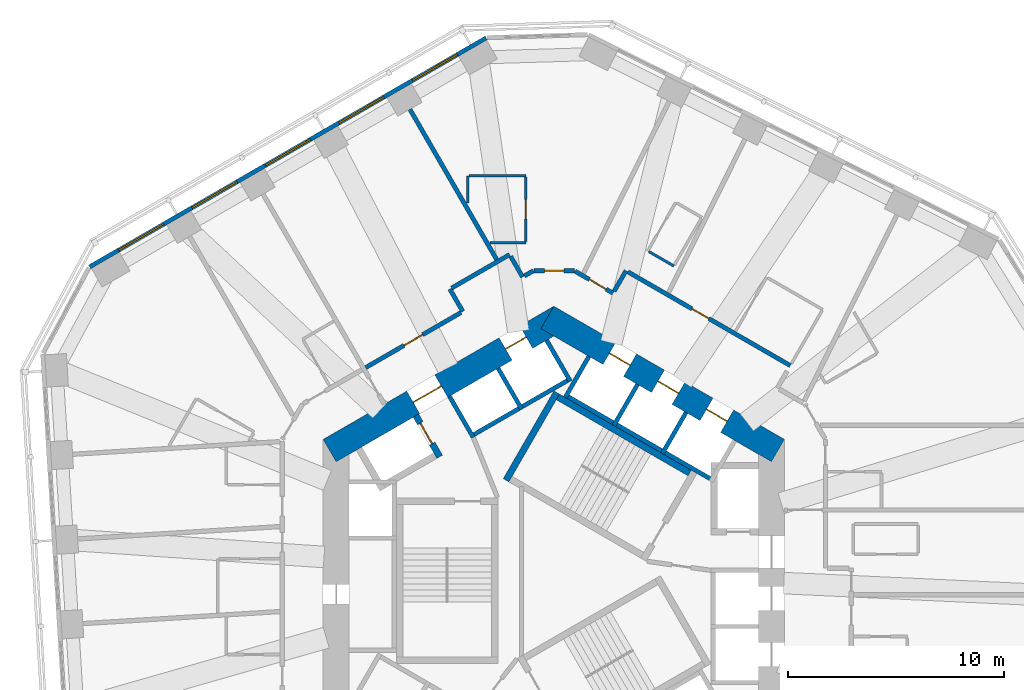
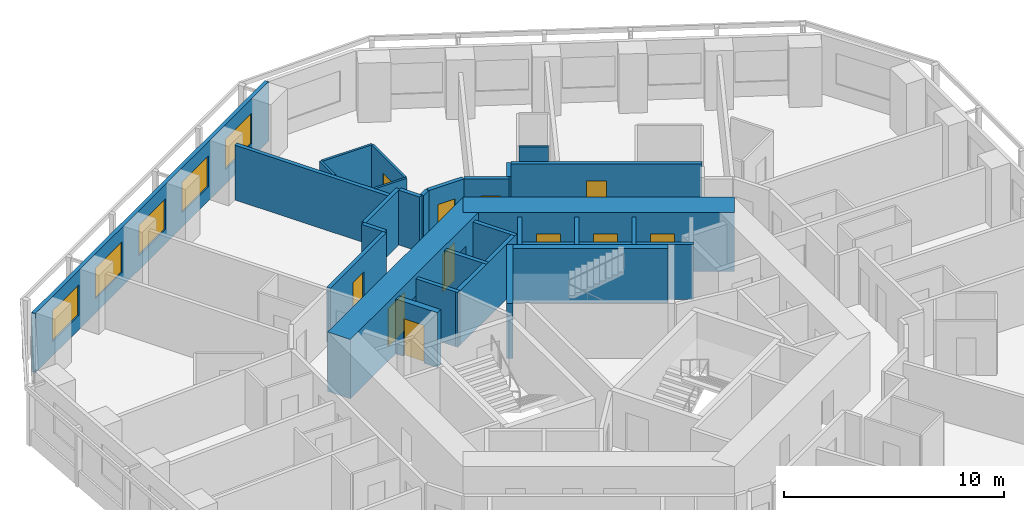
# One storey, part 8 of 12: 29 walls, 11 doors, 5 windows, 16 openings.
"""IFC4 building model written with IfcOpenShell, lengths in metres."""

import ifcopenshell
import ifcopenshell.guid

model = None  # the IFC model being written
_history = None  # IfcOwnerHistory: only IFC2X3 demands one
_inside = {}  # id of a spatial element -> (the spatial element, [elements in it])
_under = {}  # id of a project, library or spatial element -> (it, [spatial elements below it])
_declared = {}  # id of a project -> (the project, [libraries it declares])
_typed = {}  # id of a type object -> (the type object, [elements of that type])
_made_of = {}  # id of a material, layer set ... -> (it, [elements and type objects made of it])


def new_model(schema):
    """Start an empty IFC model of exactly this schema.

    Asked for "IFC4X3", IfcOpenShell would pick the latest addendum, in which some entities
    have other attributes; the version numbers below select the first issue.
    IFC2X3 requires an IfcOwnerHistory on every rooted entity: one is made here for all.
    """
    global model, _history
    if schema == "IFC4X3":
        model = ifcopenshell.file(schema_version=(4, 3, 0, 0))
    else:
        model = ifcopenshell.file(schema=schema)
    _inside.clear()
    _under.clear()
    _declared.clear()
    _typed.clear()
    _made_of.clear()
    _history = None
    if model.schema == "IFC2X3":
        org = make("IfcOrganization", Name="unknown")
        user = make(
            "IfcPersonAndOrganization",
            ThePerson=make("IfcPerson", FamilyName="unknown"),
            TheOrganization=org,
        )
        app = make(
            "IfcApplication",
            ApplicationDeveloper=org,
            Version="unknown",
            ApplicationFullName="unknown",
            ApplicationIdentifier="unknown",
        )
        _history = make(
            "IfcOwnerHistory",
            OwningUser=user,
            OwningApplication=app,
            ChangeAction="ADDED",
            CreationDate=0,
        )
    return model


def make(cls, **values):
    """One entity of the class cls with the attributes given. An attribute that is None is left unset."""
    return model.create_entity(
        cls, **{name: value for name, value in values.items() if value is not None}
    )


def rooted(cls, **values):
    """An entity with a GlobalId (a new one), such as an element, a storey or a relation."""
    return make(cls, GlobalId=ifcopenshell.guid.new(), OwnerHistory=_history, **values)


def si_unit(unit_type, name, prefix=None):
    """IfcSIUnit, for example si_unit("LENGTHUNIT", "METRE", prefix="MILLI")."""
    return make("IfcSIUnit", UnitType=unit_type, Prefix=prefix, Name=name)


def assignment(units):
    """IfcUnitAssignment: the units of a project."""
    return None if units is None else make("IfcUnitAssignment", Units=units)


def point(xyz):
    """IfcCartesianPoint."""
    return None if xyz is None else make("IfcCartesianPoint", Coordinates=xyz)


def direction(xyz):
    """IfcDirection."""
    return None if xyz is None else make("IfcDirection", DirectionRatios=xyz)


def frame(location, z_axis=None, x_axis=None):
    """IfcAxis2Placement3D, a coordinate frame: its origin and axes. An axis left out is left unset."""
    return make(
        "IfcAxis2Placement3D",
        Location=point(location),
        Axis=direction(z_axis),
        RefDirection=direction(x_axis),
    )


def frame_2d(location, x_axis=None):
    """IfcAxis2Placement2D, a coordinate frame in the plane: its origin and x axis."""
    return make(
        "IfcAxis2Placement2D", Location=point(location), RefDirection=direction(x_axis)
    )


def origin():
    """The frame at (0, 0, 0) with its axes left unset."""
    return frame((0.0, 0.0, 0.0))


def place(relative_to, where):
    """IfcLocalPlacement: puts the frame where relative to a parent placement (None: the world)."""
    return make(
        "IfcLocalPlacement", PlacementRelTo=relative_to, RelativePlacement=where
    )


def context(
    kind, dimensions, precision=None, world=None, true_north=None, identifier=None
):
    """IfcGeometricRepresentationContext, for example the 3D "Model" context."""
    return make(
        "IfcGeometricRepresentationContext",
        ContextIdentifier=identifier,
        ContextType=kind,
        CoordinateSpaceDimension=dimensions,
        Precision=precision,
        WorldCoordinateSystem=world,
        TrueNorth=true_north,
    )


def subcontext(parent, identifier, kind, view, scale=None):
    """IfcGeometricRepresentationSubContext, for example "Body" below "Model"."""
    return make(
        "IfcGeometricRepresentationSubContext",
        ContextIdentifier=identifier,
        ContextType=kind,
        ParentContext=parent,
        TargetScale=scale,
        TargetView=view,
    )


def project(units=None, contexts=None):
    """IfcProject with its units and contexts."""
    return rooted(
        "IfcProject",
        Name="project",
        RepresentationContexts=contexts,
        UnitsInContext=assignment(units),
    )


def spatial(cls, under=None, at=None, **own):
    """A site, building, storey or space (cls), placed at a placement, below another one or the project."""
    s = rooted(cls, ObjectPlacement=at, **own)
    if under is not None:
        _under.setdefault(under.id(), (under, []))[1].append(s)
    return s


def profile(cls, at=None, kind="AREA", **sizes):
    """A parametric profile (cls). Its sizes go by their IFC names, for example OverallWidth=200.0."""
    return make(cls, ProfileType=kind, Position=at, **sizes)


def rectangle(**sizes):
    """IfcRectangleProfileDef."""
    return profile("IfcRectangleProfileDef", **sizes)


def extrude(swept, where, along, depth):
    """IfcExtrudedAreaSolid: the profile swept, set in the frame where, extruded along a direction by depth."""
    return make(
        "IfcExtrudedAreaSolid",
        SweptArea=swept,
        Position=where,
        ExtrudedDirection=direction(along),
        Depth=depth,
    )


def shape(context_of_items, identifier, shape_type, items):
    """IfcShapeRepresentation: the items that make up one representation, for example the "Body"."""
    return make(
        "IfcShapeRepresentation",
        ContextOfItems=context_of_items,
        RepresentationIdentifier=identifier,
        RepresentationType=shape_type,
        Items=items,
    )


def material(Name=None, Category=None):
    """IfcMaterial."""
    return make("IfcMaterial", Name=Name, Category=Category)


def layer(
    of_material, thickness, ventilated=None, Name=None, Category=None, Priority=None
):
    """IfcMaterialLayer: one layer of a wall or slab, of a material (None: an air gap)."""
    return make(
        "IfcMaterialLayer",
        Material=of_material,
        LayerThickness=thickness,
        IsVentilated=ventilated,
        Name=Name,
        Category=Category,
        Priority=Priority,
    )


def layer_set(layers, Name=None):
    """IfcMaterialLayerSet."""
    return make("IfcMaterialLayerSet", MaterialLayers=layers, LayerSetName=Name)


def made_of(thing, what):
    """Note that an element or type object is made of a material, layer set ...; save() writes the relation."""
    if what is not None:
        _made_of.setdefault(what.id(), (what, []))[1].append(thing)
    return thing


def type_object(cls, material=None, **own):
    """A type object (cls), such as IfcWallType, which elements share."""
    return made_of(rooted(cls, **own), material)


def element(
    cls,
    number,
    at=None,
    inside=None,
    cuts=None,
    type_object=None,
    material=None,
    context=None,
    identifier="Body",
    shape_type=None,
    held_by="IfcProductDefinitionShape",
    body=None,
    shapes=None,
    **own,
):
    """One element of the class cls, such as IfcWall. Its Tag is "e" and its number.

    at: its placement. inside: the storey or other place that contains it. cuts: it is an
    opening in that element (IfcRelVoidsElement). A single representation is given by context,
    identifier, shape_type and body (its items); several are given by shapes. held_by: the class
    of the entity that holds the representations. save() writes the other relations.
    """
    e = rooted(cls, Tag="e%d" % number, ObjectPlacement=at, **own)
    if body is not None:
        shapes = [shape(context, identifier, shape_type, body)]
    if shapes is not None:
        e.Representation = make(held_by, Representations=shapes)
    if inside is not None:
        _inside.setdefault(inside.id(), (inside, []))[1].append(e)
    if cuts is not None:
        rooted(
            "IfcRelVoidsElement", RelatingBuildingElement=cuts, RelatedOpeningElement=e
        )
    if type_object is not None:
        _typed.setdefault(type_object.id(), (type_object, []))[1].append(e)
    return made_of(e, material)


def fill(opening, filler):
    """IfcRelFillsElement: the door or window that sits in an opening."""
    return rooted(
        "IfcRelFillsElement",
        RelatingOpeningElement=opening,
        RelatedBuildingElement=filler,
    )


def aggregate(whole, parts):
    """IfcRelAggregates: a whole, such as a stair, and the parts it consists of."""
    return rooted("IfcRelAggregates", RelatingObject=whole, RelatedObjects=parts)


def save(model, path):
    """Write the relations noted so far, then the file.

    IfcRelAggregates (storeys below a building ...), IfcRelContainedInSpatialStructure (elements
    in a storey), IfcRelDefinesByType, IfcRelAssociatesMaterial and IfcRelDeclares: one each for
    every whole, place, type object, material and project.
    """
    for whole, parts in _under.values():
        aggregate(whole, parts)
    for where, things in _inside.values():
        rooted(
            "IfcRelContainedInSpatialStructure",
            RelatedElements=things,
            RelatingStructure=where,
        )
    for kind, things in _typed.values():
        rooted("IfcRelDefinesByType", RelatedObjects=things, RelatingType=kind)
    for what, things in _made_of.values():
        rooted("IfcRelAssociatesMaterial", RelatedObjects=things, RelatingMaterial=what)
    for by, libraries in _declared.values():
        rooted("IfcRelDeclares", RelatingContext=by, RelatedDefinitions=libraries)
    model.write(path)


model = new_model("IFC4")

# Units and contexts
model_context = context("Model", 3, precision=1e-05, world=origin(), true_north=direction((0.0, 1.0)))
body_context = subcontext(model_context, "Body", "Model", "MODEL_VIEW")
ifc_project = project(units=[si_unit("LENGTHUNIT", "METRE"), si_unit("AREAUNIT", "SQUARE_METRE"), si_unit("VOLUMEUNIT", "CUBIC_METRE"), si_unit("PLANEANGLEUNIT", "RADIAN"), si_unit("MASSUNIT", "GRAM", prefix="KILO")], contexts=[model_context])

# Site, building, storey
site_placement = place(None, origin())
site = spatial("IfcSite", under=ifc_project, at=site_placement, CompositionType="ELEMENT")
building_placement = place(site_placement, origin())
building = spatial("IfcBuilding", under=site, at=building_placement, Name="Vanh Sen Convention Tower", CompositionType="ELEMENT")
storey_placement = place(building_placement, frame((0.0, 0.0, 53.89990234375)))
storey = spatial("IfcBuildingStorey", under=building, at=storey_placement, Name="L10", CompositionType="ELEMENT", Elevation=53.89990234375)

# Walls
ifc_material_1 = material(Name="Moisture-resistant gypsum board on steel studs", Category="steel")
ifc_layer_1 = layer(ifc_material_1, 0.1201171875)
ifc_layer_set_1 = layer_set([ifc_layer_1], Name="Moisture-resistant gypsum board on steel studs")
wall_type_1 = type_object("IfcWallType", Name="Bathroom partition 120", PredefinedType="PARTITIONING", material=ifc_layer_set_1)
wall_1_placement = place(storey_placement, frame((-4.0, 17.137451171875, 0.0), z_axis=(0.0, 0.0, 1.0), x_axis=(0.0, 1.0, 0.0)))
element("IfcWall", 1, at=wall_1_placement, inside=storey, type_object=wall_type_1, Name="Bathroom partition 120", PredefinedType="PARTITIONING", context=body_context, shape_type="SweptSolid", body=[
    extrude(rectangle(XDim=1.26318359375, YDim=0.1201171875, at=frame_2d((0.631591796875, 0.0))), origin(), (0.0, 0.0, 1.0), 3.050048828125),
])
wall_2_placement = place(storey_placement, frame((-3.93994140625, 18.400634765625, 0.0), z_axis=(0.0, 0.0, 1.0), x_axis=(1.0, 0.0, 0.0)))
element("IfcWall", 2, at=wall_2_placement, inside=storey, type_object=wall_type_1, Name="Bathroom partition 120", PredefinedType="PARTITIONING", context=body_context, shape_type="SweptSolid", body=[
    extrude(rectangle(XDim=2.639892578125, YDim=0.1201171875, at=frame_2d((1.31982421875, 0.0))), origin(), (0.0, 0.0, 1.0), 3.050048828125),
])
wall_3_placement = place(storey_placement, frame((-1.300048828125, 15.30078125, 0.0), z_axis=(0.0, 0.0, 1.0), x_axis=(-1.0, 0.0, 0.0)))
element("IfcWall", 3, at=wall_3_placement, inside=storey, type_object=wall_type_1, Name="Bathroom partition 120", PredefinedType="PARTITIONING", context=body_context, shape_type="SweptSolid", body=[
    extrude(rectangle(XDim=1.6611328125, YDim=0.1201171875, at=frame_2d((0.83056640625, 0.0))), origin(), (0.0, 0.0, 1.0), 3.050048828125),
])

# Wall, opening, door
wall_4_placement = place(storey_placement, frame((-1.300048828125, 18.3408203125, 0.0), z_axis=(0.0, 0.0, 1.0), x_axis=(0.0, -1.0, 0.0)))
wall_4 = element("IfcWall", 4, at=wall_4_placement, inside=storey, type_object=wall_type_1, Name="Bathroom partition 120", PredefinedType="PARTITIONING", context=body_context, shape_type="SweptSolid", body=[
    extrude(rectangle(XDim=2.980224609375, YDim=0.1201171875, at=frame_2d((1.490234375, 0.0))), origin(), (0.0, 0.0, 1.0), 3.050048828125),
])
opening_1_placement = place(wall_4_placement, frame((1.0400390625, 0.0, 0.0)))
opening_1 = element("IfcOpeningElement", 5, at=opening_1_placement, cuts=wall_4, Name="Opening D10114", PredefinedType="OPENING", context=body_context, shape_type="SweptSolid", body=[
    extrude(rectangle(XDim=0.89990234375, YDim=2.10009765625, at=frame_2d((0.449951171875, 1.050048828125))), frame((0.0, 0.070068359375, 0.0), z_axis=(0.0, -1.0, 0.0), x_axis=(1.0, 0.0, 0.0)), (0.0, 0.0, 1.0), 0.14013671875),
])
ifc_material_2 = material(Name="Laminate door in steel frame", Category="steel")
door_type_1 = type_object("IfcDoorType", Name="En-suite door 900", OperationType="SINGLE_SWING_LEFT", PredefinedType="DOOR", material=ifc_material_2)
door_1_placement = place(opening_1_placement, origin())
door_1 = element("IfcDoor", 6, at=door_1_placement, inside=storey, type_object=door_type_1, Name="En-suite door D10114", OperationType="SINGLE_SWING_LEFT", OverallHeight=2.10009765625, OverallWidth=0.89990234375, PredefinedType="DOOR", context=body_context, shape_type="SweptSolid", body=[
    extrude(rectangle(XDim=0.89990234375, YDim=2.10009765625, at=frame_2d((0.449951171875, 1.050048828125))), frame((0.0, 0.02490234375, 0.0), z_axis=(0.0, -1.0, 0.0), x_axis=(1.0, 0.0, 0.0)), (0.0, 0.0, 1.0), 0.050048828125),
])
fill(opening_1, door_1)

# Wall
wall_5_placement = place(storey_placement, frame((5.568603515625, 14.22216796875, 0.0), z_axis=(0.0, 0.0, 1.0), x_axis=(-0.866036909293, 0.499980071345, 0.0)))
element("IfcWall", 7, at=wall_5_placement, inside=storey, type_object=wall_type_1, Name="Bathroom partition 120", PredefinedType="PARTITIONING", context=body_context, shape_type="SweptSolid", body=[
    extrude(rectangle(XDim=1.33984375, YDim=0.1201171875, at=frame_2d((0.669921875, 0.0))), origin(), (0.0, 0.0, 1.0), 3.050048828125),
])

# Wall, openings, doors
ifc_material_3 = material(Name="Concrete C80/95", Category="concrete")
ifc_layer_2 = layer(ifc_material_3, 1.199951171875)
ifc_layer_set_2 = layer_set([ifc_layer_2], Name="Concrete C80/95")
wall_type_2 = type_object("IfcWallType", Name="Core outer wall 1200 C80/95", PredefinedType="SHEAR", material=ifc_layer_set_2)
wall_6_placement = place(storey_placement, frame((10.39990234375, 5.657958984375, 0.0), z_axis=(0.0, 0.0, 1.0), x_axis=(-0.866021384402, 0.500006961711, 0.0)))
wall_6 = element("IfcWall", 8, at=wall_6_placement, inside=storey, type_object=wall_type_2, Name="Core wall face NE L10", PredefinedType="SHEAR", context=body_context, shape_type="SweptSolid", body=[
    extrude(rectangle(XDim=12.355224609375, YDim=1.199951171875, at=frame_2d((6.177734375, 0.0))), origin(), (0.0, 0.0, 1.0), 3.300048828125),
])
opening_2_placement = place(wall_6_placement, frame((2.727783203125, 0.0, 0.0)))
opening_2 = element("IfcOpeningElement", 9, at=opening_2_placement, cuts=wall_6, Name="Opening LD-LR3", PredefinedType="OPENING", context=body_context, shape_type="SweptSolid", body=[
    extrude(rectangle(XDim=1.10009765625, YDim=2.10009765625, at=frame_2d((0.550048828125, 1.050048828125))), frame((0.0, 0.60986328125, 0.0), z_axis=(0.0, -1.0, 0.0), x_axis=(1.0, 0.0, 0.0)), (0.0, 0.0, 1.0), 1.219970703125),
])
opening_3_placement = place(wall_6_placement, frame((5.32763671875, 0.0, 0.0)))
opening_3 = element("IfcOpeningElement", 10, at=opening_3_placement, cuts=wall_6, Name="Opening LD-LR4", PredefinedType="OPENING", context=body_context, shape_type="SweptSolid", body=[
    extrude(rectangle(XDim=1.10009765625, YDim=2.10009765625, at=frame_2d((0.550048828125, 1.050048828125))), frame((0.0, 0.60986328125, 0.0), z_axis=(0.0, -1.0, 0.0), x_axis=(1.0, 0.0, 0.0)), (0.0, 0.0, 1.0), 1.219970703125),
])
opening_4_placement = place(wall_6_placement, frame((7.927734375, 0.0, 0.0)))
opening_4 = element("IfcOpeningElement", 11, at=opening_4_placement, cuts=wall_6, Name="Opening LD-LR5", PredefinedType="OPENING", context=body_context, shape_type="SweptSolid", body=[
    extrude(rectangle(XDim=1.10009765625, YDim=2.10009765625, at=frame_2d((0.550048828125, 1.050048828125))), frame((0.0, 0.60986328125, 0.0), z_axis=(0.0, -1.0, 0.0), x_axis=(1.0, 0.0, 0.0)), (0.0, 0.0, 1.0), 1.219970703125),
])
ifc_material_4 = material(Name="Stainless steel", Category="steel")
door_type_2 = type_object("IfcDoorType", Name="Lift landing door 1100", OperationType="DOUBLE_DOOR_SLIDING", PredefinedType="DOOR", material=ifc_material_4)
door_2_placement = place(opening_2_placement, origin())
door_2 = element("IfcDoor", 12, at=door_2_placement, inside=storey, type_object=door_type_2, Name="Lift LR3 landing door LD-LR3", OperationType="DOUBLE_DOOR_SLIDING", OverallHeight=2.10009765625, OverallWidth=1.10009765625, PredefinedType="DOOR", context=body_context, shape_type="SweptSolid", body=[
    extrude(rectangle(XDim=1.10009765625, YDim=2.10009765625, at=frame_2d((0.550048828125, 1.050048828125))), frame((0.0, 0.02490234375, 0.0), z_axis=(0.0, -1.0, 0.0), x_axis=(1.0, 0.0, 0.0)), (0.0, 0.0, 1.0), 0.050048828125),
])
fill(opening_2, door_2)
door_3_placement = place(opening_3_placement, origin())
door_3 = element("IfcDoor", 13, at=door_3_placement, inside=storey, type_object=door_type_2, Name="Lift LR4 landing door LD-LR4", OperationType="DOUBLE_DOOR_SLIDING", OverallHeight=2.10009765625, OverallWidth=1.10009765625, PredefinedType="DOOR", context=body_context, shape_type="SweptSolid", body=[
    extrude(rectangle(XDim=1.10009765625, YDim=2.10009765625, at=frame_2d((0.550048828125, 1.050048828125))), frame((0.0, 0.02490234375, 0.0), z_axis=(0.0, -1.0, 0.0), x_axis=(1.0, 0.0, 0.0)), (0.0, 0.0, 1.0), 0.050048828125),
])
fill(opening_3, door_3)
door_4_placement = place(opening_4_placement, origin())
door_4 = element("IfcDoor", 14, at=door_4_placement, inside=storey, type_object=door_type_2, Name="Lift LR5 landing door LD-LR5", OperationType="DOUBLE_DOOR_SLIDING", OverallHeight=2.10009765625, OverallWidth=1.10009765625, PredefinedType="DOOR", context=body_context, shape_type="SweptSolid", body=[
    extrude(rectangle(XDim=1.10009765625, YDim=2.10009765625, at=frame_2d((0.550048828125, 1.050048828125))), frame((0.0, 0.02490234375, 0.0), z_axis=(0.0, -1.0, 0.0), x_axis=(1.0, 0.0, 0.0)), (0.0, 0.0, 1.0), 0.050048828125),
])
fill(opening_4, door_4)

wall_7_placement = place(storey_placement, frame((0.300048828125, 11.835693359375, 0.0), z_axis=(0.0, 0.0, 1.0), x_axis=(-0.866021384402, -0.500006961711, 0.0)))
wall_7 = element("IfcWall", 15, at=wall_7_placement, inside=storey, type_object=wall_type_2, Name="Core wall face NW L10", PredefinedType="SHEAR", context=body_context, shape_type="SweptSolid", body=[
    extrude(rectangle(XDim=12.355224609375, YDim=1.199951171875, at=frame_2d((6.177734375, 0.0))), origin(), (0.0, 0.0, 1.0), 3.300048828125),
])
opening_5_placement = place(wall_7_placement, frame((6.377685546875, 0.0, 0.0)))
opening_5 = element("IfcOpeningElement", 16, at=opening_5_placement, cuts=wall_7, Name="Opening D10002", PredefinedType="OPENING", context=body_context, shape_type="SweptSolid", body=[
    extrude(rectangle(XDim=1.5, YDim=2.10009765625, at=frame_2d((0.75, 1.050048828125))), frame((0.0, 0.60986328125, 0.0), z_axis=(0.0, -1.0, 0.0), x_axis=(1.0, 0.0, 0.0)), (0.0, 0.0, 1.0), 1.219970703125),
])
opening_6_placement = place(wall_7_placement, frame((1.82763671875, 0.0, 0.0)))
opening_6 = element("IfcOpeningElement", 17, at=opening_6_placement, cuts=wall_7, Name="Opening LD-LR6", PredefinedType="OPENING", context=body_context, shape_type="SweptSolid", body=[
    extrude(rectangle(XDim=1.10009765625, YDim=2.10009765625, at=frame_2d((0.550048828125, 1.050048828125))), frame((0.0, 0.60986328125, 0.0), z_axis=(0.0, -1.0, 0.0), x_axis=(1.0, 0.0, 0.0)), (0.0, 0.0, 1.0), 1.219970703125),
])
door_5_placement = place(opening_6_placement, origin())
door_5 = element("IfcDoor", 18, at=door_5_placement, inside=storey, type_object=door_type_2, Name="Lift LR6 landing door LD-LR6", OperationType="DOUBLE_DOOR_SLIDING", OverallHeight=2.10009765625, OverallWidth=1.10009765625, PredefinedType="DOOR", context=body_context, shape_type="SweptSolid", body=[
    extrude(rectangle(XDim=1.10009765625, YDim=2.10009765625, at=frame_2d((0.550048828125, 1.050048828125))), frame((0.0, 0.02490234375, 0.0), z_axis=(0.0, -1.0, 0.0), x_axis=(1.0, 0.0, 0.0)), (0.0, 0.0, 1.0), 0.050048828125),
])
fill(opening_6, door_5)
ifc_material_5 = material(Name="Steel S355", Category="steel")
door_type_3 = type_object("IfcDoorType", Name="Stair lobby door 1500", OperationType="DOUBLE_DOOR_SINGLE_SWING", PredefinedType="DOOR", material=ifc_material_5)
door_6_placement = place(opening_5_placement, origin())
door_6 = element("IfcDoor", 19, at=door_6_placement, inside=storey, type_object=door_type_3, Name="Stair lobby door D10002", OperationType="DOUBLE_DOOR_SINGLE_SWING", OverallHeight=2.10009765625, OverallWidth=1.5, PredefinedType="DOOR", context=body_context, shape_type="SweptSolid", body=[
    extrude(rectangle(XDim=1.5, YDim=2.10009765625, at=frame_2d((0.75, 1.050048828125))), frame((0.0, 0.02490234375, 0.0), z_axis=(0.0, -1.0, 0.0), x_axis=(1.0, 0.0, 0.0)), (0.0, 0.0, 1.0), 0.050048828125),
])
fill(opening_5, door_6)

# Wall
ifc_material_6 = material(Name="Gypsum board on steel studs with mineral wool", Category="steel")
ifc_layer_3 = layer(ifc_material_6, 0.199951171875)
ifc_layer_set_3 = layer_set([ifc_layer_3], Name="Gypsum board on steel studs with mineral wool")
wall_type_3 = type_object("IfcWallType", Name="Corridor partition wall 200", PredefinedType="PARTITIONING", material=ifc_layer_set_3)
wall_8_placement = place(storey_placement, frame((-4.822998046875, 13.151611328125, 0.0), z_axis=(0.0, 0.0, 1.0), x_axis=(0.499986357472, -0.866033280158, 0.0)))
element("IfcWall", 20, at=wall_8_placement, inside=storey, type_object=wall_type_3, Name="Corridor partition wall 200", PredefinedType="PARTITIONING", context=body_context, shape_type="SweptSolid", body=[
    extrude(rectangle(XDim=1.201171875, YDim=0.199951171875, at=frame_2d((0.6005859375, 0.0))), origin(), (0.0, 0.0, 1.0), 3.050048828125),
])

# Wall, opening, door
wall_9_placement = place(storey_placement, frame((-4.30908203125, 12.061279296875, 0.0), z_axis=(0.0, 0.0, 1.0), x_axis=(-0.866020679205, -0.500008183122, 0.0)))
wall_9 = element("IfcWall", 21, at=wall_9_placement, inside=storey, type_object=wall_type_3, Name="Corridor partition wall 200", PredefinedType="PARTITIONING", context=body_context, shape_type="SweptSolid", body=[
    extrude(rectangle(XDim=5.103515625, YDim=0.199951171875, at=frame_2d((2.5517578125, 0.0))), origin(), (0.0, 0.0, 1.0), 3.050048828125),
])
opening_7_placement = place(wall_9_placement, frame((2.0517578125, 0.0, 0.0)))
opening_7 = element("IfcOpeningElement", 22, at=opening_7_placement, cuts=wall_9, Name="Opening D10115", PredefinedType="OPENING", context=body_context, shape_type="SweptSolid", body=[
    extrude(rectangle(XDim=1.0, YDim=2.10009765625, at=frame_2d((0.5, 1.050048828125))), frame((0.0, 0.10986328125, 0.0), z_axis=(0.0, -1.0, 0.0), x_axis=(1.0, 0.0, 0.0)), (0.0, 0.0, 1.0), 0.219970703125),
])
ifc_material_7 = material(Name="Timber fire door in steel frame", Category="steel")
door_type_4 = type_object("IfcDoorType", Name="Floor room door 1000", OperationType="SINGLE_SWING_LEFT", PredefinedType="DOOR", material=ifc_material_7)
door_7_placement = place(opening_7_placement, origin())
door_7 = element("IfcDoor", 23, at=door_7_placement, inside=storey, type_object=door_type_4, Name="Meeting and amenity room door D10115", OperationType="SINGLE_SWING_LEFT", OverallHeight=2.10009765625, OverallWidth=1.0, PredefinedType="DOOR", context=body_context, shape_type="SweptSolid", body=[
    extrude(rectangle(XDim=1.0, YDim=2.10009765625, at=frame_2d((0.5, 1.050048828125))), frame((0.0, 0.02490234375, 0.0), z_axis=(0.0, -1.0, 0.0), x_axis=(1.0, 0.0, 0.0)), (0.0, 0.0, 1.0), 0.050048828125),
])
fill(opening_7, door_7)

# Walls
wall_10_placement = place(storey_placement, frame((-2.0498046875, 14.75244140625, 0.0), z_axis=(0.0, 0.0, 1.0), x_axis=(-0.866030936828, -0.499990416364, 0.0)))
element("IfcWall", 24, at=wall_10_placement, inside=storey, type_object=wall_type_3, Name="Corridor partition wall 200", PredefinedType="PARTITIONING", context=body_context, shape_type="SweptSolid", body=[
    extrude(rectangle(XDim=3.10205078125, YDim=0.199951171875, at=frame_2d((1.551025390625, 0.0))), origin(), (0.0, 0.0, 1.0), 3.050048828125),
])
wall_11_placement = place(storey_placement, frame((-1.449462890625, 13.71240234375, 0.0), z_axis=(0.0, 0.0, 1.0), x_axis=(-0.499978356969, 0.866037899034, 0.0)))
element("IfcWall", 25, at=wall_11_placement, inside=storey, type_object=wall_type_3, Name="Corridor partition wall 200", PredefinedType="PARTITIONING", context=body_context, shape_type="SweptSolid", body=[
    extrude(rectangle(XDim=1.10107421875, YDim=0.199951171875, at=frame_2d((0.550537109375, 0.0))), origin(), (0.0, 0.0, 1.0), 3.050048828125),
])
wall_12_placement = place(storey_placement, frame((-0.949951171875, 14.000732421875, 0.0), z_axis=(0.0, 0.0, 1.0), x_axis=(-0.86609177584, -0.499885022602, 0.0)))
element("IfcWall", 26, at=wall_12_placement, inside=storey, type_object=wall_type_3, Name="Corridor partition wall 200", PredefinedType="PARTITIONING", context=body_context, shape_type="SweptSolid", body=[
    extrude(rectangle(XDim=0.4765625, YDim=0.199951171875, at=frame_2d((0.23828125, 0.0))), origin(), (0.0, 0.0, 1.0), 3.050048828125),
])

# Wall, opening, door
wall_13_placement = place(storey_placement, frame((0.949951171875, 14.000732421875, 0.0), z_axis=(0.0, 0.0, 1.0), x_axis=(-1.0, 0.0, 0.0)))
wall_13 = element("IfcWall", 27, at=wall_13_placement, inside=storey, type_object=wall_type_3, Name="Corridor partition wall 200", PredefinedType="PARTITIONING", context=body_context, shape_type="SweptSolid", body=[
    extrude(rectangle(XDim=1.85986328125, YDim=0.199951171875, at=frame_2d((0.929931640625, 0.0))), origin(), (0.0, 0.0, 1.0), 3.050048828125),
])
opening_8_placement = place(wall_13_placement, frame((0.47998046875, 0.0, 0.0)))
opening_8 = element("IfcOpeningElement", 28, at=opening_8_placement, cuts=wall_13, Name="Opening D10113", PredefinedType="OPENING", context=body_context, shape_type="SweptSolid", body=[
    extrude(rectangle(XDim=0.89990234375, YDim=2.10009765625, at=frame_2d((0.449951171875, 1.050048828125))), frame((0.0, 0.10986328125, 0.0), z_axis=(0.0, -1.0, 0.0), x_axis=(1.0, 0.0, 0.0)), (0.0, 0.0, 1.0), 0.219970703125),
])
door_type_5 = type_object("IfcDoorType", Name="Guest room door 900", OperationType="SINGLE_SWING_LEFT", PredefinedType="DOOR", material=ifc_material_7)
door_8_placement = place(opening_8_placement, origin())
door_8 = element("IfcDoor", 29, at=door_8_placement, inside=storey, type_object=door_type_5, Name="Hotel guest room door D10113", OperationType="SINGLE_SWING_LEFT", OverallHeight=2.10009765625, OverallWidth=0.89990234375, PredefinedType="DOOR", context=body_context, shape_type="SweptSolid", body=[
    extrude(rectangle(XDim=0.89990234375, YDim=2.10009765625, at=frame_2d((0.449951171875, 1.050048828125))), frame((0.0, 0.02490234375, 0.0), z_axis=(0.0, -1.0, 0.0), x_axis=(1.0, 0.0, 0.0)), (0.0, 0.0, 1.0), 0.050048828125),
])
fill(opening_8, door_8)

wall_14_placement = place(storey_placement, frame((2.748291015625, 12.96240234375, 0.0), z_axis=(0.0, 0.0, 1.0), x_axis=(-0.866013897511, 0.50001992892, 0.0)))
wall_14 = element("IfcWall", 30, at=wall_14_placement, inside=storey, type_object=wall_type_3, Name="Corridor partition wall 200", PredefinedType="PARTITIONING", context=body_context, shape_type="SweptSolid", body=[
    extrude(rectangle(XDim=2.03662109375, YDim=0.199951171875, at=frame_2d((1.018310546875, 0.0))), origin(), (0.0, 0.0, 1.0), 3.050048828125),
])
opening_9_placement = place(wall_14_placement, frame((0.371826171875, 0.0, 0.0)))
opening_9 = element("IfcOpeningElement", 31, at=opening_9_placement, cuts=wall_14, Name="Opening D10111", PredefinedType="OPENING", context=body_context, shape_type="SweptSolid", body=[
    extrude(rectangle(XDim=0.89990234375, YDim=2.10009765625, at=frame_2d((0.449951171875, 1.050048828125))), frame((0.0, 0.10986328125, 0.0), z_axis=(0.0, -1.0, 0.0), x_axis=(1.0, 0.0, 0.0)), (0.0, 0.0, 1.0), 0.219970703125),
])
door_9_placement = place(opening_9_placement, origin())
door_9 = element("IfcDoor", 32, at=door_9_placement, inside=storey, type_object=door_type_5, Name="Hotel guest room door D10111", OperationType="SINGLE_SWING_LEFT", OverallHeight=2.10009765625, OverallWidth=0.89990234375, PredefinedType="DOOR", context=body_context, shape_type="SweptSolid", body=[
    extrude(rectangle(XDim=0.89990234375, YDim=2.10009765625, at=frame_2d((0.449951171875, 1.050048828125))), frame((0.0, 0.02490234375, 0.0), z_axis=(0.0, -1.0, 0.0), x_axis=(1.0, 0.0, 0.0)), (0.0, 0.0, 1.0), 0.050048828125),
])
fill(opening_9, door_9)

# Wall
wall_15_placement = place(storey_placement, frame((3.348876953125, 14.00244140625, 0.0), z_axis=(0.0, 0.0, 1.0), x_axis=(-0.500074377092, -0.865982457891, 0.0)))
element("IfcWall", 33, at=wall_15_placement, inside=storey, type_object=wall_type_3, Name="Corridor partition wall 200", PredefinedType="PARTITIONING", context=body_context, shape_type="SweptSolid", body=[
    extrude(rectangle(XDim=1.100830078125, YDim=0.199951171875, at=frame_2d((0.55029296875, 0.0))), origin(), (0.0, 0.0, 1.0), 3.050048828125),
])

# Wall, opening, door
wall_16_placement = place(storey_placement, frame((10.9716796875, 9.6015625, 0.0), z_axis=(0.0, 0.0, 1.0), x_axis=(-0.866033277307, 0.499986362411, 0.0)))
wall_16 = element("IfcWall", 34, at=wall_16_placement, inside=storey, type_object=wall_type_3, Name="Corridor partition wall 200", PredefinedType="PARTITIONING", context=body_context, shape_type="SweptSolid", body=[
    extrude(rectangle(XDim=8.701904296875, YDim=0.199951171875, at=frame_2d((4.35107421875, 0.0))), origin(), (0.0, 0.0, 1.0), 3.050048828125),
])
opening_10_placement = place(wall_16_placement, frame((4.363525390625, 0.0, 0.0)))
opening_10 = element("IfcOpeningElement", 35, at=opening_10_placement, cuts=wall_16, Name="Opening D10109", PredefinedType="OPENING", context=body_context, shape_type="SweptSolid", body=[
    extrude(rectangle(XDim=0.89990234375, YDim=2.10009765625, at=frame_2d((0.449951171875, 1.050048828125))), frame((0.0, 0.10986328125, 0.0), z_axis=(0.0, -1.0, 0.0), x_axis=(1.0, 0.0, 0.0)), (0.0, 0.0, 1.0), 0.219970703125),
])
door_10_placement = place(opening_10_placement, origin())
door_10 = element("IfcDoor", 36, at=door_10_placement, inside=storey, type_object=door_type_5, Name="Hotel guest room door D10109", OperationType="SINGLE_SWING_LEFT", OverallHeight=2.10009765625, OverallWidth=0.89990234375, PredefinedType="DOOR", context=body_context, shape_type="SweptSolid", body=[
    extrude(rectangle(XDim=0.89990234375, YDim=2.10009765625, at=frame_2d((0.449951171875, 1.050048828125))), frame((0.0, 0.02490234375, 0.0), z_axis=(0.0, -1.0, 0.0), x_axis=(1.0, 0.0, 0.0)), (0.0, 0.0, 1.0), 0.050048828125),
])
fill(opening_10, door_10)

# Wall, openings, windows
ifc_material_8 = material(Name="Insulated lightweight infill wall")
ifc_layer_4 = layer(ifc_material_8, 0.199951171875)
ifc_layer_set_4 = layer_set([ifc_layer_4], Name="Insulated lightweight infill wall")
wall_type_4 = type_object("IfcWallType", Name="External wall 200", PredefinedType="STANDARD", material=ifc_layer_set_4)
wall_17_placement = place(storey_placement, frame((-3.135986328125, 24.80517578125, 0.0), z_axis=(0.0, 0.0, 1.0), x_axis=(-0.866028291626, -0.499994998079, 0.0)))
wall_17 = element("IfcWall", 37, at=wall_17_placement, inside=storey, type_object=wall_type_4, Name="External wall NW L10", PredefinedType="STANDARD", context=body_context, shape_type="SweptSolid", body=[
    extrude(rectangle(XDim=21.246337890625, YDim=0.199951171875, at=frame_2d((10.623046875, 0.0))), origin(), (0.0, 0.0, 1.0), 3.300048828125),
])
opening_11_placement = place(wall_17_placement, frame((1.5546875, 0.0, 0.800048828125)))
opening_11 = element("IfcOpeningElement", 38, at=opening_11_placement, cuts=wall_17, Name="Opening WH1-NW1", PredefinedType="OPENING", context=body_context, shape_type="SweptSolid", body=[
    extrude(rectangle(XDim=2.39990234375, YDim=1.699951171875, at=frame_2d((1.199951171875, 0.85009765625))), frame((0.0, 0.10986328125, 0.0), z_axis=(0.0, -1.0, 0.0), x_axis=(1.0, 0.0, 0.0)), (0.0, 0.0, 1.0), 0.219970703125),
])
opening_12_placement = place(wall_17_placement, frame((5.4892578125, 0.0, 0.800048828125)))
opening_12 = element("IfcOpeningElement", 39, at=opening_12_placement, cuts=wall_17, Name="Opening WH1-NW2", PredefinedType="OPENING", context=body_context, shape_type="SweptSolid", body=[
    extrude(rectangle(XDim=2.39990234375, YDim=1.699951171875, at=frame_2d((1.199951171875, 0.85009765625))), frame((0.0, 0.10986328125, 0.0), z_axis=(0.0, -1.0, 0.0), x_axis=(1.0, 0.0, 0.0)), (0.0, 0.0, 1.0), 0.219970703125),
])
opening_13_placement = place(wall_17_placement, frame((9.423828125, 0.0, 0.800048828125)))
opening_13 = element("IfcOpeningElement", 40, at=opening_13_placement, cuts=wall_17, Name="Opening WH1-NW3", PredefinedType="OPENING", context=body_context, shape_type="SweptSolid", body=[
    extrude(rectangle(XDim=2.39990234375, YDim=1.699951171875, at=frame_2d((1.199951171875, 0.85009765625))), frame((0.0, 0.10986328125, 0.0), z_axis=(0.0, -1.0, 0.0), x_axis=(1.0, 0.0, 0.0)), (0.0, 0.0, 1.0), 0.219970703125),
])
opening_14_placement = place(wall_17_placement, frame((13.3583984375, 0.0, 0.800048828125)))
opening_14 = element("IfcOpeningElement", 41, at=opening_14_placement, cuts=wall_17, Name="Opening WH1-NW4", PredefinedType="OPENING", context=body_context, shape_type="SweptSolid", body=[
    extrude(rectangle(XDim=2.39990234375, YDim=1.699951171875, at=frame_2d((1.199951171875, 0.85009765625))), frame((0.0, 0.10986328125, 0.0), z_axis=(0.0, -1.0, 0.0), x_axis=(1.0, 0.0, 0.0)), (0.0, 0.0, 1.0), 0.219970703125),
])
opening_15_placement = place(wall_17_placement, frame((17.293212890625, 0.0, 0.800048828125)))
opening_15 = element("IfcOpeningElement", 42, at=opening_15_placement, cuts=wall_17, Name="Opening WH1-NW5", PredefinedType="OPENING", context=body_context, shape_type="SweptSolid", body=[
    extrude(rectangle(XDim=2.39990234375, YDim=1.699951171875, at=frame_2d((1.199951171875, 0.85009765625))), frame((0.0, 0.10986328125, 0.0), z_axis=(0.0, -1.0, 0.0), x_axis=(1.0, 0.0, 0.0)), (0.0, 0.0, 1.0), 0.219970703125),
])
ifc_material_9 = material(Name="Aluminium frame with clear low-emissivity glass", Category="aluminium")
window_type = type_object("IfcWindowType", Name="Hotel window 2400 x 1700", PartitioningType="SINGLE_PANEL", PredefinedType="WINDOW", material=ifc_material_9)
window_1_placement = place(opening_11_placement, origin())
window_1 = element("IfcWindow", 43, at=window_1_placement, inside=storey, type_object=window_type, Name="Window WH1-NW1", OverallHeight=1.699951171875, OverallWidth=2.39990234375, PartitioningType="SINGLE_PANEL", PredefinedType="WINDOW", context=body_context, shape_type="SweptSolid", body=[
    extrude(rectangle(XDim=2.39990234375, YDim=1.699951171875, at=frame_2d((1.199951171875, 0.85009765625))), frame((0.0, 0.030029296875, 0.0), z_axis=(0.0, -1.0, 0.0), x_axis=(1.0, 0.0, 0.0)), (0.0, 0.0, 1.0), 0.06005859375),
])
fill(opening_11, window_1)
window_2_placement = place(opening_12_placement, origin())
window_2 = element("IfcWindow", 44, at=window_2_placement, inside=storey, type_object=window_type, Name="Window WH1-NW2", OverallHeight=1.699951171875, OverallWidth=2.39990234375, PartitioningType="SINGLE_PANEL", PredefinedType="WINDOW", context=body_context, shape_type="SweptSolid", body=[
    extrude(rectangle(XDim=2.39990234375, YDim=1.699951171875, at=frame_2d((1.199951171875, 0.85009765625))), frame((0.0, 0.030029296875, 0.0), z_axis=(0.0, -1.0, 0.0), x_axis=(1.0, 0.0, 0.0)), (0.0, 0.0, 1.0), 0.06005859375),
])
fill(opening_12, window_2)
window_3_placement = place(opening_13_placement, origin())
window_3 = element("IfcWindow", 45, at=window_3_placement, inside=storey, type_object=window_type, Name="Window WH1-NW3", OverallHeight=1.699951171875, OverallWidth=2.39990234375, PartitioningType="SINGLE_PANEL", PredefinedType="WINDOW", context=body_context, shape_type="SweptSolid", body=[
    extrude(rectangle(XDim=2.39990234375, YDim=1.699951171875, at=frame_2d((1.199951171875, 0.85009765625))), frame((0.0, 0.030029296875, 0.0), z_axis=(0.0, -1.0, 0.0), x_axis=(1.0, 0.0, 0.0)), (0.0, 0.0, 1.0), 0.06005859375),
])
fill(opening_13, window_3)
window_4_placement = place(opening_14_placement, origin())
window_4 = element("IfcWindow", 46, at=window_4_placement, inside=storey, type_object=window_type, Name="Window WH1-NW4", OverallHeight=1.699951171875, OverallWidth=2.39990234375, PartitioningType="SINGLE_PANEL", PredefinedType="WINDOW", context=body_context, shape_type="SweptSolid", body=[
    extrude(rectangle(XDim=2.39990234375, YDim=1.699951171875, at=frame_2d((1.199951171875, 0.85009765625))), frame((0.0, 0.030029296875, 0.0), z_axis=(0.0, -1.0, 0.0), x_axis=(1.0, 0.0, 0.0)), (0.0, 0.0, 1.0), 0.06005859375),
])
fill(opening_14, window_4)
window_5_placement = place(opening_15_placement, origin())
window_5 = element("IfcWindow", 47, at=window_5_placement, inside=storey, type_object=window_type, Name="Window WH1-NW5", OverallHeight=1.699951171875, OverallWidth=2.39990234375, PartitioningType="SINGLE_PANEL", PredefinedType="WINDOW", context=body_context, shape_type="SweptSolid", body=[
    extrude(rectangle(XDim=2.39990234375, YDim=1.699951171875, at=frame_2d((1.199951171875, 0.85009765625))), frame((0.0, 0.030029296875, 0.0), z_axis=(0.0, -1.0, 0.0), x_axis=(1.0, 0.0, 0.0)), (0.0, 0.0, 1.0), 0.06005859375),
])
fill(opening_15, window_5)

# Wall, opening, door
ifc_material_10 = material(Name="Concrete C60/75", Category="concrete")
ifc_layer_5 = layer(ifc_material_10, 0.300048828125)
ifc_layer_set_5 = layer_set([ifc_layer_5], Name="Concrete C60/75")
wall_type_5 = type_object("IfcWallType", Name="Fire-fighting lift shaft wall 300", PredefinedType="SHEAR", material=ifc_layer_set_5)
wall_18_placement = place(storey_placement, frame((-5.29541015625, 5.3720703125, 0.0), z_axis=(0.0, 0.0, 1.0), x_axis=(-0.500077893725, 0.86598042715, 0.0)))
wall_18 = element("IfcWall", 48, at=wall_18_placement, inside=storey, type_object=wall_type_5, Name="Fire-fighting lift shaft wall L10", PredefinedType="SHEAR", context=body_context, shape_type="SweptSolid", body=[
    extrude(rectangle(XDim=2.199951171875, YDim=0.300048828125, at=frame_2d((1.10009765625, 0.0))), origin(), (0.0, 0.0, 1.0), 3.050048828125),
])
opening_16_placement = place(wall_18_placement, frame((0.699951171875, 0.0, 0.0)))
opening_16 = element("IfcOpeningElement", 49, at=opening_16_placement, cuts=wall_18, Name="Opening LD-FF2", PredefinedType="OPENING", context=body_context, shape_type="SweptSolid", body=[
    extrude(rectangle(XDim=1.10009765625, YDim=2.10009765625, at=frame_2d((0.550048828125, 1.050048828125))), frame((0.0, 0.159912109375, 0.0), z_axis=(0.0, -1.0, 0.0), x_axis=(1.0, 0.0, 0.0)), (0.0, 0.0, 1.0), 0.320068359375),
])
door_type_6 = type_object("IfcDoorType", Name="Fire-fighting lift landing door 1100", OperationType="DOUBLE_DOOR_SLIDING", PredefinedType="DOOR", material=ifc_material_4)
door_11_placement = place(opening_16_placement, origin())
door_11 = element("IfcDoor", 50, at=door_11_placement, inside=storey, type_object=door_type_6, Name="Lift FF2 landing door LD-FF2", OperationType="DOUBLE_DOOR_SLIDING", OverallHeight=2.10009765625, OverallWidth=1.10009765625, PredefinedType="DOOR", context=body_context, shape_type="SweptSolid", body=[
    extrude(rectangle(XDim=1.10009765625, YDim=2.10009765625, at=frame_2d((0.550048828125, 1.050048828125))), frame((0.0, 0.02490234375, 0.0), z_axis=(0.0, -1.0, 0.0), x_axis=(1.0, 0.0, 0.0)), (0.0, 0.0, 1.0), 0.050048828125),
])
fill(opening_16, door_11)

# Walls
ifc_layer_6 = layer(ifc_material_6, 0.199951171875)
ifc_layer_set_6 = layer_set([ifc_layer_6], Name="Gypsum board on steel studs with mineral wool")
wall_type_6 = type_object("IfcWallType", Name="Hotel party wall 200", PredefinedType="PARTITIONING", material=ifc_layer_set_6)
wall_19_placement = place(storey_placement, frame((-6.675537109375, 21.49169921875, 0.0), z_axis=(0.0, 0.0, 1.0), x_axis=(0.500011263043, -0.866018900966, 0.0)))
element("IfcWall", 51, at=wall_19_placement, inside=storey, type_object=wall_type_6, Name="Hotel party wall 200", PredefinedType="PARTITIONING", context=body_context, shape_type="SweptSolid", body=[
    extrude(rectangle(XDim=8.049072265625, YDim=0.199951171875, at=frame_2d((4.0244140625, 0.0))), origin(), (0.0, 0.0, 1.0), 3.050048828125),
])
ifc_material_11 = material(Name="Concrete C40/50", Category="concrete")
ifc_layer_7 = layer(ifc_material_11, 0.199951171875)
ifc_layer_set_7 = layer_set([ifc_layer_7], Name="Concrete C40/50")
wall_type_7 = type_object("IfcWallType", Name="Lift shaft wall 200", PredefinedType="PARTITIONING", material=ifc_layer_set_7)
wall_20_placement = place(storey_placement, frame((7.423828125, 4.258544921875, 0.0), z_axis=(0.0, 0.0, 1.0), x_axis=(-0.866026010844, 0.49999894854, 0.0)))
element("IfcWall", 52, at=wall_20_placement, inside=storey, type_object=wall_type_7, Name="Lift shaft wall L10", PredefinedType="PARTITIONING", context=body_context, shape_type="SweptSolid", body=[
    extrude(rectangle(XDim=8.0, YDim=0.199951171875, at=frame_2d((4.0, 0.0))), origin(), (0.0, 0.0, 1.0), 3.050048828125),
])
for number, where, z_axis, x_axis, name in (
    (53, (5.03564453125, 5.52197265625, 0.0), (0.0, 0.0, 1.0), (0.499946605688, 0.86605622881, 0.0), "Lift shaft wall L10"),
    (54, (2.783935546875, 6.822021484375, 0.0), (0.0, 0.0, 1.0), (0.50002983664, 0.866008176907, 0.0), "Lift shaft wall L10"),
    (55, (0.5322265625, 8.1220703125, 0.0), (0.0, 0.0, 1.0), (0.500077893725, 0.86598042715, 0.0), "Lift shaft wall L10"),
):
    element("IfcWall", number, at=place(storey_placement, frame(where, z_axis=z_axis, x_axis=x_axis)), inside=storey, type_object=wall_type_7, Name=name, PredefinedType="PARTITIONING", context=body_context, shape_type="SweptSolid", body=[
        extrude(rectangle(XDim=2.199951171875, YDim=0.199951171875, at=frame_2d((1.10009765625, 0.0))), origin(), (0.0, 0.0, 1.0), 3.050048828125),
    ])
wall_21_placement = place(storey_placement, frame((0.80322265625, 9.008544921875, 0.0), z_axis=(0.0, 0.0, 1.0), x_axis=(-0.866028230842, -0.499995103361, 0.0)))
element("IfcWall", 56, at=wall_21_placement, inside=storey, type_object=wall_type_7, Name="Lift shaft wall L10", PredefinedType="PARTITIONING", context=body_context, shape_type="SweptSolid", body=[
    extrude(rectangle(XDim=5.39990234375, YDim=0.199951171875, at=frame_2d((2.699951171875, 0.0))), origin(), (0.0, 0.0, 1.0), 3.050048828125),
])
wall_22_placement = place(storey_placement, frame((0.7666015625, 8.8720703125, 0.0), z_axis=(0.0, 0.0, 1.0), x_axis=(-0.499994660107, 0.866028486751, 0.0)))
element("IfcWall", 57, at=wall_22_placement, inside=storey, type_object=wall_type_7, Name="Lift shaft wall L10", PredefinedType="PARTITIONING", context=body_context, shape_type="SweptSolid", body=[
    extrude(rectangle(XDim=2.19970703125, YDim=0.199951171875, at=frame_2d((1.099853515625, 0.0))), origin(), (0.0, 0.0, 1.0), 3.050048828125),
])
for number, where, z_axis, x_axis, name in (
    (58, (-1.48486328125, 7.572021484375, 0.0), (0.0, 0.0, 1.0), (-0.50002983664, 0.866008176907, 0.0), "Lift shaft wall L10"),
    (59, (-3.736572265625, 6.27197265625, 0.0), (0.0, 0.0, 1.0), (-0.50002983664, 0.866008176907, 0.0), "Lift shaft wall L10"),
):
    element("IfcWall", number, at=place(storey_placement, frame(where, z_axis=z_axis, x_axis=x_axis)), inside=storey, type_object=wall_type_7, Name=name, PredefinedType="PARTITIONING", context=body_context, shape_type="SweptSolid", body=[
        extrude(rectangle(XDim=2.199951171875, YDim=0.199951171875, at=frame_2d((1.10009765625, 0.0))), origin(), (0.0, 0.0, 1.0), 3.050048828125),
    ])
ifc_layer_8 = layer(ifc_material_10, 0.300048828125)
ifc_layer_set_8 = layer_set([ifc_layer_8], Name="Concrete C60/75")
wall_type_8 = type_object("IfcWallType", Name="Stair wall 300", PredefinedType="SHEAR", material=ifc_layer_set_8)
wall_23_placement = place(storey_placement, frame((-2.216064453125, 4.28173828125, 0.0), z_axis=(0.0, 0.0, 1.0), x_axis=(0.499977259774, 0.866038532462, 0.0)))
element("IfcWall", 60, at=wall_23_placement, inside=storey, type_object=wall_type_8, Name="Stair wall L10", PredefinedType="SHEAR", context=body_context, shape_type="SweptSolid", body=[
    extrude(rectangle(XDim=4.699951171875, YDim=0.300048828125, at=frame_2d((2.35009765625, 0.0))), origin(), (0.0, 0.0, 1.0), 3.050048828125),
])
wall_24_placement = place(storey_placement, frame((6.302978515625, 4.6171875, 0.0), z_axis=(0.0, 0.0, 1.0), x_axis=(-0.866027801685, 0.499995846692, 0.0)))
element("IfcWall", 61, at=wall_24_placement, inside=storey, type_object=wall_type_8, Name="Stair wall L10", PredefinedType="SHEAR", context=body_context, shape_type="SweptSolid", body=[
    extrude(rectangle(XDim=7.06005859375, YDim=0.300048828125, at=frame_2d((3.530029296875, 0.0))), origin(), (0.0, 0.0, 1.0), 3.050048828125),
])

save(model, "model.ifc")
